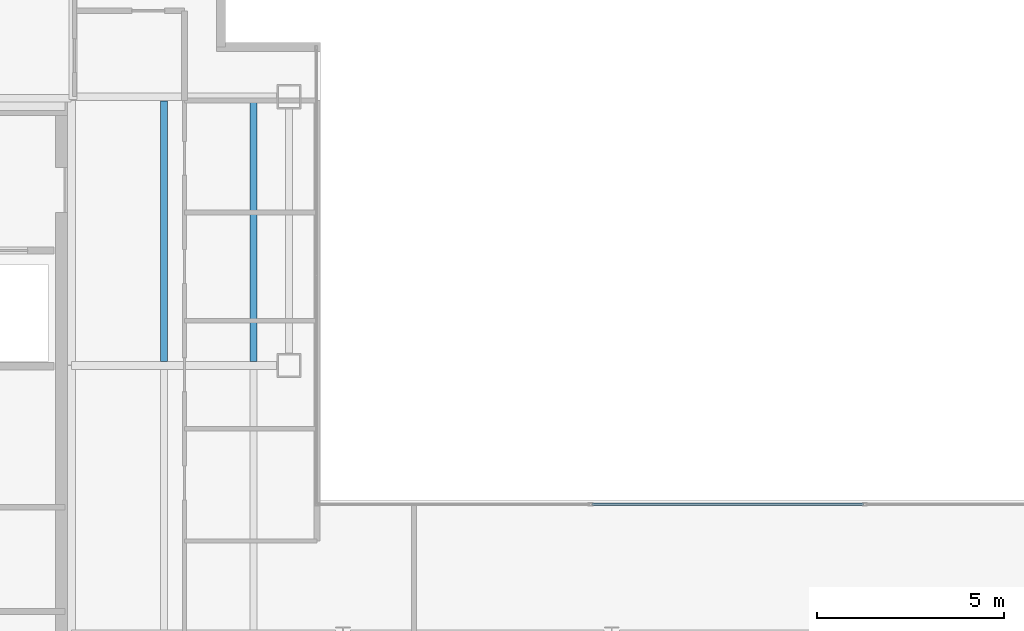
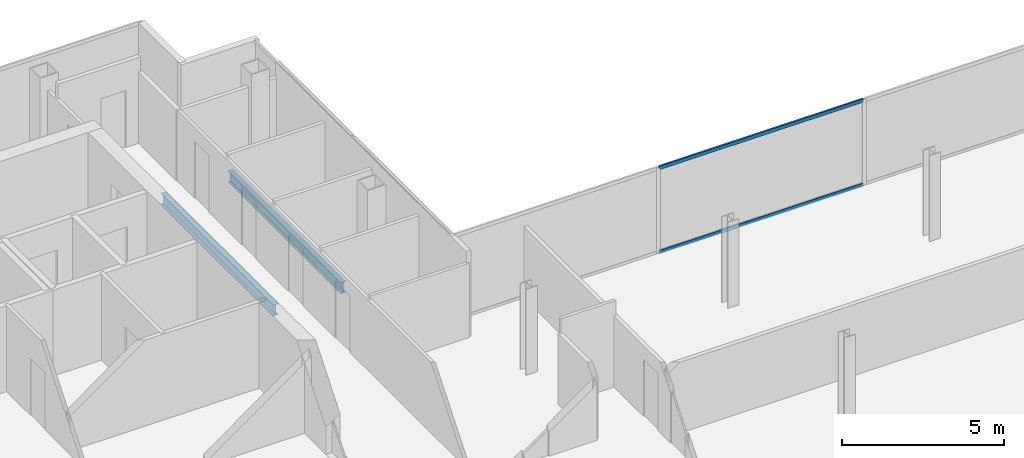
# One storey, part 10 of 23: 2 beams, 2 members, 1 element without a shape of its own.
"""IFC4 building model written with IfcOpenShell, lengths in metres."""

from ifc_helpers import new_model, si_unit, direction, frame, origin, origin_2d, place, context, subcontext, project, spatial, hollow_rectangle, i_section, extrude, material, material_profile, profile_set, type_object, element, aggregate, save


model = new_model("IFC4")

# Units and contexts
model_context = context("Model", 3, precision=1e-05, world=origin(), true_north=direction((0.0, 1.0)))
body_context = subcontext(model_context, "Body", "Model", "MODEL_VIEW")
ifc_project = project(units=[si_unit("LENGTHUNIT", "METRE"), si_unit("AREAUNIT", "SQUARE_METRE"), si_unit("VOLUMEUNIT", "CUBIC_METRE"), si_unit("PLANEANGLEUNIT", "RADIAN"), si_unit("MASSUNIT", "GRAM", prefix="KILO")], contexts=[model_context])

# Site, building, storey
site_placement = place(None, origin())
site = spatial("IfcSite", under=ifc_project, at=site_placement, CompositionType="ELEMENT")
building_placement = place(site_placement, origin())
building = spatial("IfcBuilding", under=site, at=building_placement, Name="Cobrela Telecom Tower", CompositionType="ELEMENT")
storey_placement = place(building_placement, frame((0.0, 0.0, 255.14990234375)))
storey = spatial("IfcBuildingStorey", under=building, at=storey_placement, Name="L66", CompositionType="ELEMENT", Elevation=255.14990234375)

# Beams
ifc_material_1 = material(Name="Steel ASTM A992 Grade 50", Category="steel")
ifc_material_profile_1 = material_profile(ifc_material_1, i_section(OverallWidth=0.179931640625, OverallDepth=0.4169921875, WebThickness=0.010986328125, FlangeThickness=0.01806640625, FilletRadius=0.011962890625, at=origin_2d()), Name="W16X57")
ifc_profile_set_1 = profile_set([ifc_material_profile_1], Name="Steel ASTM A992 Grade 50")
beam_type = type_object("IfcBeamType", Name="BM-JOIST-04", PredefinedType="JOIST", material=ifc_profile_set_1)
for number, where, z_axis, x_axis, name in (
    (1, (16.800048828125, 28.91162109375, -0.468505859375), (0.0, 1.0, 0.0), (-1.0, 0.0, 0.0), "L66 Secondary Composite Floor Beam J03"),
    (2, (19.199951171875, 28.91162109375, -0.468505859375), (0.0, 1.0, 0.0), (-1.0, 0.0, 0.0), "L66 Secondary Composite Floor Beam J06"),
):
    element("IfcBeam", number, at=place(storey_placement, frame(where, z_axis=z_axis, x_axis=x_axis)), inside=storey, type_object=beam_type, Name=name, PredefinedType="JOIST", context=body_context, shape_type="SweptSolid", body=[
        extrude(i_section(OverallWidth=0.179931640625, OverallDepth=0.4169921875, WebThickness=0.010986328125, FlangeThickness=0.01806640625, FilletRadius=0.011962890625, at=origin_2d()), origin(), (0.0, 0.0, 1.0), 6.976806640625),
    ])

# Curtain wall, members
ifc_material_2 = material(Name="Anodized Bronze Aluminium 6063-T6", Category="aluminium")
curtain_wall_type = type_object("IfcCurtainWallType", Name="CW-SYS-OFF-HI", PredefinedType="USERDEFINED", material=ifc_material_2)
curtain_wall_placement = place(storey_placement, origin())
curtain_wall = element("IfcCurtainWall", 3, at=curtain_wall_placement, inside=storey, type_object=curtain_wall_type, Name="L66 Unitised Bronze Curtain Wall 09", ObjectType="UNITISED CURTAIN WALL", PredefinedType="USERDEFINED")
ifc_material_profile_2 = material_profile(ifc_material_2, hollow_rectangle(XDim=0.06494140625, YDim=0.1298828125, WallThickness=0.00390625, at=origin_2d()), Name="ALU 65x130x4")
ifc_profile_set_2 = profile_set([ifc_material_profile_2], Name="Anodized Bronze Aluminium 6063-T6")
member_type = type_object("IfcMemberType", Name="CW-SYS-OFF-HI-TRN", PredefinedType="USERDEFINED", material=ifc_profile_set_2)
member_1_placement = place(storey_placement, frame((28.264892578125, 25.080078125, 0.03271484375), z_axis=(1.0, 0.0, 0.0), x_axis=(0.0, 1.0, 0.0)))
member_1 = element("IfcMember", 4, at=member_1_placement, type_object=member_type, Name="CW-OFF-HI transom 2.1", ObjectType="TRANSOM", PredefinedType="USERDEFINED", context=body_context, shape_type="SweptSolid", body=[
    extrude(hollow_rectangle(XDim=0.06494140625, YDim=0.1298828125, WallThickness=0.00390625, at=origin_2d()), origin(), (0.0, 0.0, 1.0), 7.280029296875),
])
member_2_placement = place(storey_placement, frame((28.264892578125, 25.080078125, 3.20751953125), z_axis=(1.0, 0.0, 0.0), x_axis=(0.0, 1.0, 0.0)))
member_2 = element("IfcMember", 5, at=member_2_placement, type_object=member_type, Name="CW-OFF-HI transom 2.2", ObjectType="TRANSOM", PredefinedType="USERDEFINED", context=body_context, shape_type="SweptSolid", body=[
    extrude(hollow_rectangle(XDim=0.06494140625, YDim=0.1298828125, WallThickness=0.00390625, at=origin_2d()), origin(), (0.0, 0.0, 1.0), 7.280029296875),
])
aggregate(curtain_wall, [member_1, member_2])

save(model, "model.ifc")
